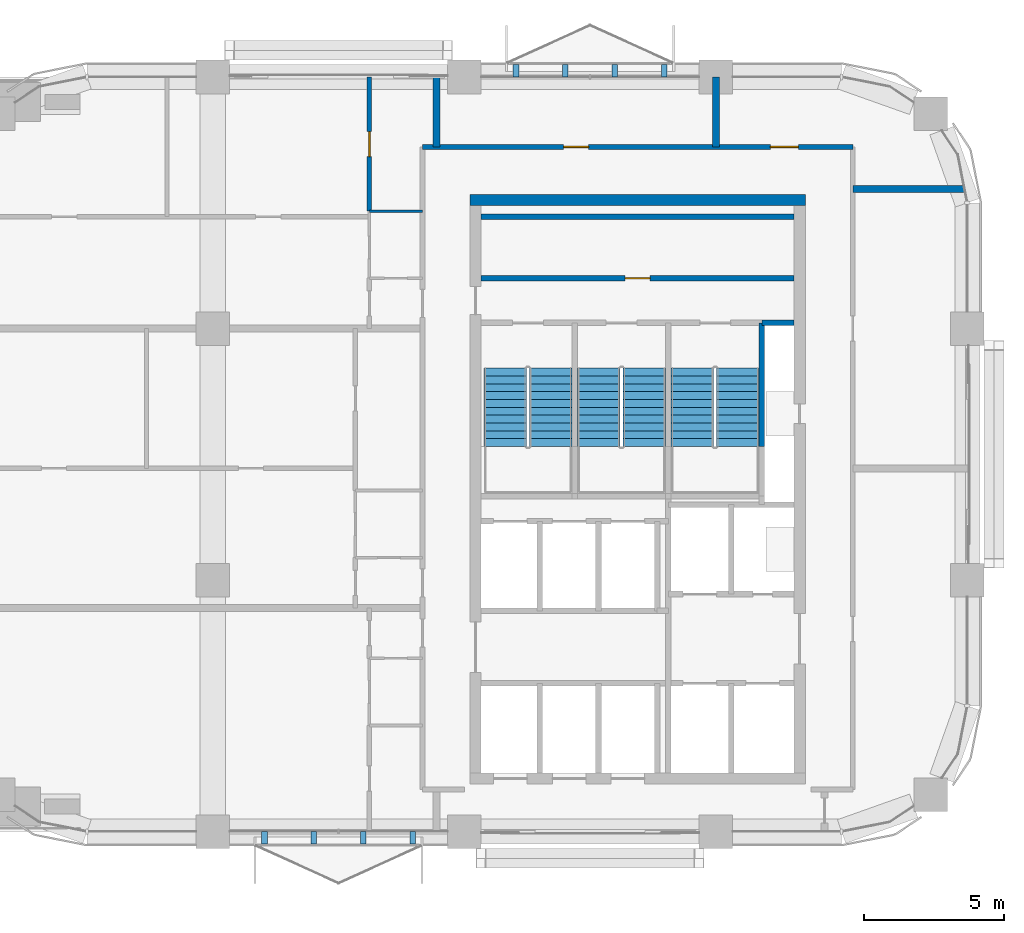
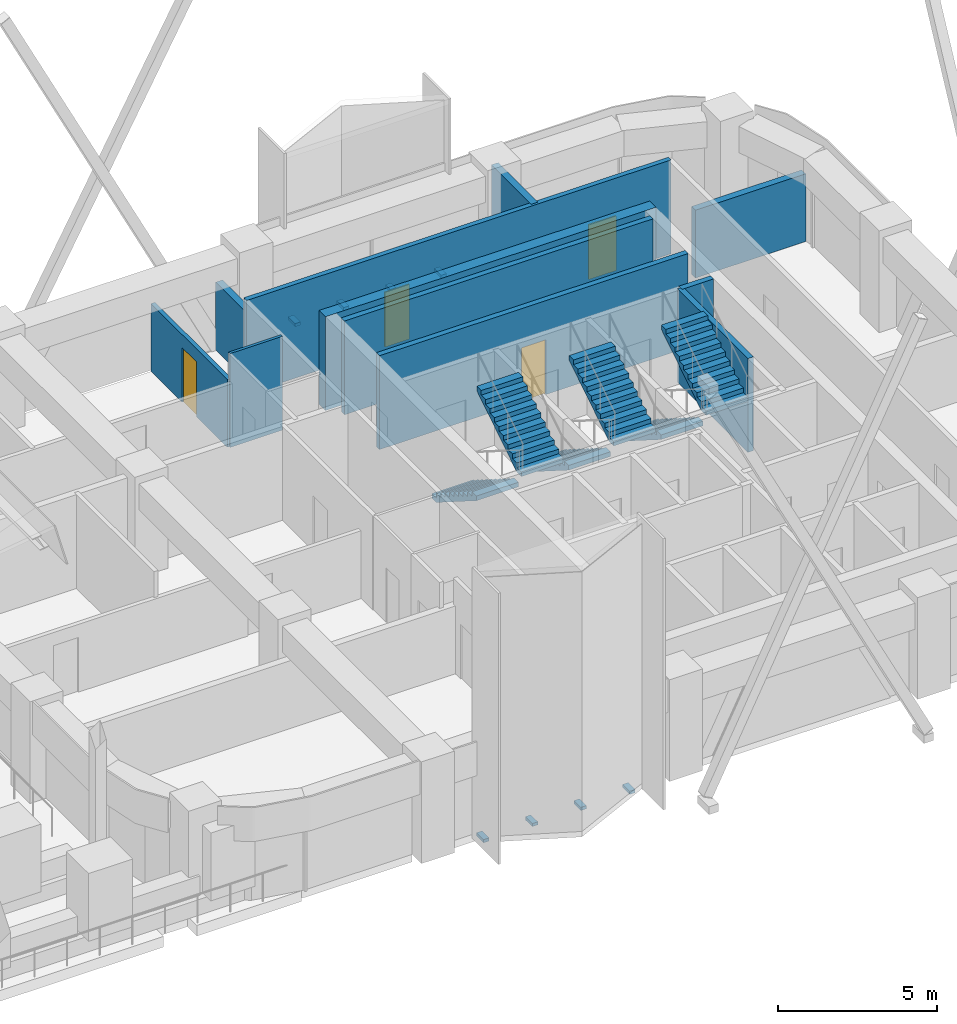
# One storey, part 11 of 13: 11 walls, 8 discrete accessories, 6 stair flights, 4 doors, 4 openings, 3 elements without a shape of their own.
"""IFC4 building model written with IfcOpenShell, lengths in metres."""

from ifc_helpers import new_model, si_unit, direction, frame, frame_2d, origin, origin_2d, place, context, subcontext, project, spatial, polyline, rectangle, outline, extrude, material, layer, layer_set, type_object, element, fill, aggregate, save


model = new_model("IFC4")

# Units and contexts
model_context = context("Model", 3, precision=1e-05, world=origin(), true_north=direction((0.0, 1.0)))
body_context = subcontext(model_context, "Body", "Model", "MODEL_VIEW")
ifc_project = project(units=[si_unit("LENGTHUNIT", "METRE"), si_unit("AREAUNIT", "SQUARE_METRE"), si_unit("VOLUMEUNIT", "CUBIC_METRE"), si_unit("PLANEANGLEUNIT", "RADIAN"), si_unit("MASSUNIT", "GRAM", prefix="KILO")], contexts=[model_context])

# Site, building, storey
site_placement = place(None, origin())
site = spatial("IfcSite", under=ifc_project, at=site_placement, CompositionType="ELEMENT")
building_placement = place(site_placement, origin())
building = spatial("IfcBuilding", under=site, at=building_placement, Name="Tessera Arch", CompositionType="ELEMENT")
storey_placement = place(building_placement, frame((0.0, 0.0, 234.5)))
storey = spatial("IfcBuildingStorey", under=building, at=storey_placement, Name="L56", CompositionType="ELEMENT", Elevation=234.5)

# Wall, opening, door
ifc_material_1 = material(Name="Gypsum board on steel stud", Category="steel")
ifc_layer_1 = layer(ifc_material_1, 0.125)
ifc_layer_set_1 = layer_set([ifc_layer_1], Name="Core partition 125 EI 60")
wall_type_1 = type_object("IfcWallType", Name="Core partition 125 EI 60", PredefinedType="PARTITIONING", material=ifc_layer_set_1)
wall_1_placement = place(storey_placement, frame((36.60009765625, 46.800048828125, 0.0), z_axis=(0.0, 0.0, 1.0), x_axis=(1.0, 0.0, 0.0)))
wall_1 = element("IfcWall", 1, at=wall_1_placement, inside=storey, type_object=wall_type_1, Name="L56 C1 partition wall 30", PredefinedType="PARTITIONING", context=body_context, shape_type="SweptSolid", body=[
    extrude(rectangle(XDim=11.199951171875, YDim=0.199951171875, at=frame_2d((5.60009765625, 0.0))), origin(), (0.0, 0.0, 1.0), 3.60009765625),
])
opening_1_placement = place(wall_1_placement, frame((5.14990234375, 0.0, 0.0)))
opening_1 = element("IfcOpeningElement", 2, at=opening_1_placement, cuts=wall_1, Name="Opening L56-C18", PredefinedType="OPENING", context=body_context, shape_type="SweptSolid", body=[
    extrude(rectangle(XDim=0.89990234375, YDim=2.10009765625, at=frame_2d((0.449951171875, 1.050048828125))), frame((0.0, 0.10986328125, 0.0), z_axis=(0.0, -1.0, 0.0), x_axis=(1.0, 0.0, 0.0)), (0.0, 0.0, 1.0), 0.219970703125),
])
ifc_material_2 = material(Name="Steel door leaf", Category="steel")
door_type_1 = type_object("IfcDoorType", Name="Store door FD30S 900 x 2100", OperationType="SINGLE_SWING_LEFT", PredefinedType="DOOR", material=ifc_material_2)
door_1_placement = place(opening_1_placement, origin())
door_1 = element("IfcDoor", 3, at=door_1_placement, inside=storey, type_object=door_type_1, Name="L56 C1 door 18 C18 type D09", OperationType="SINGLE_SWING_RIGHT", OverallHeight=2.10009765625, OverallWidth=0.89990234375, PredefinedType="DOOR", context=body_context, shape_type="SweptSolid", body=[
    extrude(rectangle(XDim=0.89990234375, YDim=2.10009765625, at=frame_2d((0.449951171875, 1.050048828125))), frame((0.0, 0.02490234375, 0.0), z_axis=(0.0, -1.0, 0.0), x_axis=(1.0, 0.0, 0.0)), (0.0, 0.0, 1.0), 0.050048828125),
])
fill(opening_1, door_1)

# Walls
wall_2_placement = place(storey_placement, frame((36.60009765625, 49.0, 0.0), z_axis=(0.0, 0.0, 1.0), x_axis=(1.0, 0.0, 0.0)))
element("IfcWall", 4, at=wall_2_placement, inside=storey, type_object=wall_type_1, Name="L56 C1 partition wall 31", PredefinedType="PARTITIONING", context=body_context, shape_type="SweptSolid", body=[
    extrude(rectangle(XDim=11.199951171875, YDim=0.199951171875, at=frame_2d((5.60009765625, 0.0))), origin(), (0.0, 0.0, 1.0), 3.60009765625),
])
ifc_material_3 = material(Name="Concrete C50/60", Category="concrete")
ifc_layer_2 = layer(ifc_material_3, 0.39990234375)
ifc_layer_set_2 = layer_set([ifc_layer_2], Name="Core shell wall 400 C50-60")
wall_type_2 = type_object("IfcWallType", Name="Core shell wall 400 C50-60", PredefinedType="SHEAR", material=ifc_layer_set_2)
wall_3_placement = place(storey_placement, frame((36.199951171875, 49.60009765625, 0.0), z_axis=(0.0, 0.0, 1.0), x_axis=(1.0, 0.0, 0.0)))
element("IfcWall", 5, at=wall_3_placement, inside=storey, type_object=wall_type_2, Name="L56 C1 core wall N", PredefinedType="SHEAR", context=body_context, shape_type="SweptSolid", body=[
    extrude(rectangle(XDim=12.0, YDim=0.39990234375, at=frame_2d((6.0, 0.0))), origin(), (0.0, 0.0, 1.0), 3.60009765625),
])

# Wall, openings, doors
ifc_material_4 = material(Name="Gypsum board on deep steel stud with mineral wool", Category="steel")
ifc_layer_3 = layer(ifc_material_4, 0.175048828125)
ifc_layer_set_3 = layer_set([ifc_layer_3], Name="Corridor wall 175 EI 60")
wall_type_3 = type_object("IfcWallType", Name="Corridor wall 175 EI 60", PredefinedType="PARTITIONING", material=ifc_layer_set_3)
wall_4_placement = place(storey_placement, frame((34.5, 51.5, 0.0), z_axis=(0.0, 0.0, 1.0), x_axis=(1.0, 0.0, 0.0)))
wall_4 = element("IfcWall", 6, at=wall_4_placement, inside=storey, type_object=wall_type_3, Name="L56 partition 3", PredefinedType="PARTITIONING", context=body_context, shape_type="SweptSolid", body=[
    extrude(rectangle(XDim=15.39990234375, YDim=0.175048828125, at=frame_2d((7.699951171875, 0.0))), origin(), (0.0, 0.0, 1.0), 3.60009765625),
])
opening_2_placement = place(wall_4_placement, frame((12.449951171875, 0.0, 0.0)))
opening_2 = element("IfcOpeningElement", 7, at=opening_2_placement, cuts=wall_4, Name="Opening L56-D022", PredefinedType="OPENING", context=body_context, shape_type="SweptSolid", body=[
    extrude(rectangle(XDim=1.0, YDim=2.10009765625, at=frame_2d((0.5, 1.050048828125))), frame((0.0, 0.097412109375, 0.0), z_axis=(0.0, -1.0, 0.0), x_axis=(1.0, 0.0, 0.0)), (0.0, 0.0, 1.0), 0.195068359375),
])
opening_3_placement = place(wall_4_placement, frame((5.050048828125, 0.0, 0.0)))
opening_3 = element("IfcOpeningElement", 8, at=opening_3_placement, cuts=wall_4, Name="Opening L56-D023", PredefinedType="OPENING", context=body_context, shape_type="SweptSolid", body=[
    extrude(rectangle(XDim=0.89990234375, YDim=2.10009765625, at=frame_2d((0.449951171875, 1.050048828125))), frame((0.0, 0.097412109375, 0.0), z_axis=(0.0, -1.0, 0.0), x_axis=(1.0, 0.0, 0.0)), (0.0, 0.0, 1.0), 0.195068359375),
])
ifc_material_5 = material(Name="Fire-rated door leaf")
door_type_2 = type_object("IfcDoorType", Name="Entrance door FD30S 1000 x 2100", OperationType="SINGLE_SWING_LEFT", PredefinedType="DOOR", material=ifc_material_5)
door_2_placement = place(opening_2_placement, origin())
door_2 = element("IfcDoor", 9, at=door_2_placement, inside=storey, type_object=door_type_2, Name="L56 door D022 type D03", OperationType="SINGLE_SWING_LEFT", OverallHeight=2.10009765625, OverallWidth=1.0, PredefinedType="DOOR", context=body_context, shape_type="SweptSolid", body=[
    extrude(rectangle(XDim=1.0, YDim=2.10009765625, at=frame_2d((0.5, 1.050048828125))), frame((0.0, 0.02490234375, 0.0), z_axis=(0.0, -1.0, 0.0), x_axis=(1.0, 0.0, 0.0)), (0.0, 0.0, 1.0), 0.050048828125),
])
fill(opening_2, door_2)
ifc_material_6 = material(Name="Timber door leaf", Category="wood")
door_type_3 = type_object("IfcDoorType", Name="Room door 900 x 2100", OperationType="SINGLE_SWING_LEFT", PredefinedType="DOOR", material=ifc_material_6)
door_3_placement = place(opening_3_placement, origin())
door_3 = element("IfcDoor", 10, at=door_3_placement, inside=storey, type_object=door_type_3, Name="L56 door D023 type D01", OperationType="SINGLE_SWING_RIGHT", OverallHeight=2.10009765625, OverallWidth=0.89990234375, PredefinedType="DOOR", context=body_context, shape_type="SweptSolid", body=[
    extrude(rectangle(XDim=0.89990234375, YDim=2.10009765625, at=frame_2d((0.449951171875, 1.050048828125))), frame((0.0, 0.02490234375, 0.0), z_axis=(0.0, -1.0, 0.0), x_axis=(1.0, 0.0, 0.0)), (0.0, 0.0, 1.0), 0.050048828125),
])
fill(opening_3, door_3)

# Wall, opening, door
ifc_material_7 = material(Name="Gypsum board on steel stud", Category="steel")
ifc_layer_4 = layer(ifc_material_7, 0.14990234375)
ifc_layer_set_4 = layer_set([ifc_layer_4], Name="Partition 150")
wall_type_4 = type_object("IfcWallType", Name="Partition 150", PredefinedType="PARTITIONING", material=ifc_layer_set_4)
wall_5_placement = place(storey_placement, frame((32.60009765625, 49.199951171875, 0.0), z_axis=(0.0, 0.0, 1.0), x_axis=(0.0, 1.0, 0.0)))
wall_5 = element("IfcWall", 11, at=wall_5_placement, inside=storey, type_object=wall_type_4, Name="L56 partition 15", PredefinedType="PARTITIONING", context=body_context, shape_type="SweptSolid", body=[
    extrude(rectangle(XDim=4.800048828125, YDim=0.14990234375, at=frame_2d((2.39990234375, 0.0))), origin(), (0.0, 0.0, 1.0), 2.60009765625),
])
opening_4_placement = place(wall_5_placement, frame((1.949951171875, 0.0, 0.0)))
opening_4 = element("IfcOpeningElement", 12, at=opening_4_placement, cuts=wall_5, Name="Opening L56-D019", PredefinedType="OPENING", context=body_context, shape_type="SweptSolid", body=[
    extrude(rectangle(XDim=0.89990234375, YDim=2.10009765625, at=frame_2d((0.449951171875, 1.050048828125))), frame((0.0, 0.0849609375, 0.0), z_axis=(0.0, -1.0, 0.0), x_axis=(1.0, 0.0, 0.0)), (0.0, 0.0, 1.0), 0.169921875),
])
door_4_placement = place(opening_4_placement, origin())
door_4 = element("IfcDoor", 13, at=door_4_placement, inside=storey, type_object=door_type_3, Name="L56 door D019 type D01", OperationType="SINGLE_SWING_LEFT", OverallHeight=2.10009765625, OverallWidth=0.89990234375, PredefinedType="DOOR", context=body_context, shape_type="SweptSolid", body=[
    extrude(rectangle(XDim=0.89990234375, YDim=2.10009765625, at=frame_2d((0.449951171875, 1.050048828125))), frame((0.0, 0.02490234375, 0.0), z_axis=(0.0, -1.0, 0.0), x_axis=(1.0, 0.0, 0.0)), (0.0, 0.0, 1.0), 0.050048828125),
])
fill(opening_4, door_4)

# Walls
ifc_material_8 = material(Name="Double gypsum board on twin steel stud with acoustic mineral wool", Category="steel")
ifc_layer_5 = layer(ifc_material_8, 0.25)
ifc_layer_set_5 = layer_set([ifc_layer_5], Name="Party wall 250 EI 60")
wall_type_5 = type_object("IfcWallType", Name="Party wall 250 EI 60", PredefinedType="PARTITIONING", material=ifc_layer_set_5)
wall_6_placement = place(storey_placement, frame((49.89990234375, 50.0, 0.0), z_axis=(0.0, 0.0, 1.0), x_axis=(1.0, 0.0, 0.0)))
element("IfcWall", 14, at=wall_6_placement, inside=storey, type_object=wall_type_5, Name="L56 partition 19", PredefinedType="PARTITIONING", context=body_context, shape_type="SweptSolid", body=[
    extrude(rectangle(XDim=4.00048828125, YDim=0.25, at=frame_2d((2.000244140625, 0.0))), origin(), (0.0, 0.0, 1.0), 2.60009765625),
])
wall_7_placement = place(storey_placement, frame((35.0, 51.5, 0.0), z_axis=(0.0, 0.0, 1.0), x_axis=(0.0, 1.0, 0.0)))
element("IfcWall", 15, at=wall_7_placement, inside=storey, type_object=wall_type_5, Name="L56 partition 21", PredefinedType="PARTITIONING", context=body_context, shape_type="SweptSolid", body=[
    extrude(rectangle(XDim=2.5, YDim=0.25, at=frame_2d((1.25, 0.0))), origin(), (0.0, 0.0, 1.0), 2.60009765625),
])
wall_8_placement = place(storey_placement, frame((45.0, 51.5, 0.0), z_axis=(0.0, 0.0, 1.0), x_axis=(0.0, 1.0, 0.0)))
element("IfcWall", 16, at=wall_8_placement, inside=storey, type_object=wall_type_5, Name="L56 partition 22", PredefinedType="PARTITIONING", context=body_context, shape_type="SweptSolid", body=[
    extrude(rectangle(XDim=2.5, YDim=0.25, at=frame_2d((1.25, 0.0))), origin(), (0.0, 0.0, 1.0), 3.60009765625),
])
ifc_material_9 = material(Name="Concrete C40/50", Category="concrete")
ifc_layer_6 = layer(ifc_material_9, 0.199951171875)
ifc_layer_set_6 = layer_set([ifc_layer_6], Name="Shaft wall 200 EI 120")
wall_type_6 = type_object("IfcWallType", Name="Shaft wall 200 EI 120", PredefinedType="SOLIDWALL", material=ifc_layer_set_6)
wall_9_placement = place(storey_placement, frame((46.64990234375, 45.199951171875, 0.0), z_axis=(0.0, 0.0, 1.0), x_axis=(1.0, 0.0, 0.0)))
element("IfcWall", 17, at=wall_9_placement, inside=storey, type_object=wall_type_6, Name="L56 C1 shaft wall 28", PredefinedType="SOLIDWALL", context=body_context, shape_type="SweptSolid", body=[
    extrude(rectangle(XDim=1.150146484375, YDim=0.199951171875, at=frame_2d((0.5751953125, 0.0))), origin(), (0.0, 0.0, 1.0), 3.60009765625),
])
ifc_material_10 = material(Name="Concrete C40/50", Category="concrete")
ifc_layer_7 = layer(ifc_material_10, 0.199951171875)
ifc_layer_set_7 = layer_set([ifc_layer_7], Name="Stair well wall 200 REI 180")
wall_type_7 = type_object("IfcWallType", Name="Stair well wall 200 REI 180", PredefinedType="SOLIDWALL", material=ifc_layer_set_7)
wall_10_placement = place(storey_placement, frame((46.64990234375, 40.780029296875, 0.0), z_axis=(0.0, 0.0, 1.0), x_axis=(0.0, 1.0, 0.0)))
element("IfcWall", 18, at=wall_10_placement, inside=storey, type_object=wall_type_7, Name="L56 C1 shaft wall 16", PredefinedType="SOLIDWALL", context=body_context, shape_type="SweptSolid", body=[
    extrude(rectangle(XDim=4.419921875, YDim=0.199951171875, at=frame_2d((2.2099609375, 0.0))), origin(), (0.0, 0.0, 1.0), 3.60009765625),
])
ifc_material_11 = material(Name="Moisture-resistant board on pre-plumbed steel stud", Category="steel")
ifc_layer_8 = layer(ifc_material_11, 0.10009765625)
ifc_layer_set_8 = layer_set([ifc_layer_8], Name="Wet wall 100")
wall_type_8 = type_object("IfcWallType", Name="Wet wall 100", PredefinedType="PARTITIONING", material=ifc_layer_set_8)
wall_11_placement = place(storey_placement, frame((32.60009765625, 49.199951171875, 0.0), z_axis=(0.0, 0.0, 1.0), x_axis=(1.0, 0.0, 0.0)))
element("IfcWall", 19, at=wall_11_placement, inside=storey, type_object=wall_type_8, Name="L56 partition 29", PredefinedType="PARTITIONING", context=body_context, shape_type="SweptSolid", body=[
    extrude(rectangle(XDim=1.89990234375, YDim=0.10009765625, at=frame_2d((0.949951171875, 0.0))), origin(), (0.0, 0.0, 1.0), 3.60009765625),
])

# Stair, stair flights
ifc_material_12 = material(Name="Concrete C40/50", Category="concrete")
stair_type = type_object("IfcStairType", Name="Dogleg stair 1520", PredefinedType="HALF_TURN_STAIR", material=ifc_material_12)
stair_1_placement = place(storey_placement, origin())
stair_1 = element("IfcStair", 20, at=stair_1_placement, inside=storey, type_object=stair_type, Name="L56 S1a", PredefinedType="HALF_TURN_STAIR")
ifc_material_13 = material(Name="Concrete C40/50", Category="concrete")
stair_flight_type = type_object("IfcStairFlightType", Name="Stair flight 1520", PredefinedType="STRAIGHT", material=ifc_material_13)
stair_flight_1_placement = place(storey_placement, frame((37.4599609375, 43.580078125, 0.0), z_axis=(0.0, 0.0, 1.0), x_axis=(0.0, -1.0, 0.0)))
stair_flight_1 = element("IfcStairFlight", 21, at=stair_flight_1_placement, type_object=stair_flight_type, Name="S1a flight 1", NumberOfRisers=11, NumberOfTreads=10, PredefinedType="STRAIGHT", RiserHeight=0.177272727, TreadLength=0.28, context=body_context, shape_type="SweptSolid", body=[
    extrude(outline(polyline([(0.0, 0.0), (0.0, 0.17724609375), (0.280029296875, 0.17724609375), (0.280029296875, 0.3544921875), (0.56005859375, 0.3544921875), (0.56005859375, 0.53173828125), (0.840087890625, 0.53173828125), (0.840087890625, 0.708984375), (1.1201171875, 0.708984375), (1.1201171875, 0.886474609375), (1.39990234375, 0.886474609375), (1.39990234375, 1.063720703125), (1.679931640625, 1.063720703125), (1.679931640625, 1.240966796875), (1.9599609375, 1.240966796875), (1.9599609375, 1.418212890625), (2.239990234375, 1.418212890625), (2.239990234375, 1.595458984375), (2.52001953125, 1.595458984375), (2.52001953125, 1.772705078125), (2.800048828125, 1.772705078125), (2.800048828125, 1.949951171875), (2.800048828125, 1.59521484375), (0.2802734375, 0.0), (0.0, 0.0)])), frame((0.0, 0.760009765625, 0.0), z_axis=(0.0, -1.0, 0.0), x_axis=(1.0, 0.0, 0.0)), (0.0, 0.0, 1.0), 1.52001953125),
])
stair_flight_2_placement = place(storey_placement, frame((39.090087890625, 40.780029296875, 1.949951171875), z_axis=(0.0, 0.0, 1.0), x_axis=(0.0, 1.0, 0.0)))
stair_flight_2 = element("IfcStairFlight", 22, at=stair_flight_2_placement, type_object=stair_flight_type, Name="S1a flight 2", NumberOfRisers=11, NumberOfTreads=10, PredefinedType="STRAIGHT", RiserHeight=0.177272727, TreadLength=0.28, context=body_context, shape_type="SweptSolid", body=[
    extrude(outline(polyline([(0.0, 0.0), (0.0, 0.17724609375), (0.280029296875, 0.17724609375), (0.280029296875, 0.3544921875), (0.56005859375, 0.3544921875), (0.56005859375, 0.53173828125), (0.840087890625, 0.53173828125), (0.840087890625, 0.708984375), (1.1201171875, 0.708984375), (1.1201171875, 0.886474609375), (1.39990234375, 0.886474609375), (1.39990234375, 1.063720703125), (1.679931640625, 1.063720703125), (1.679931640625, 1.240966796875), (1.9599609375, 1.240966796875), (1.9599609375, 1.418212890625), (2.239990234375, 1.418212890625), (2.239990234375, 1.595458984375), (2.52001953125, 1.595458984375), (2.52001953125, 1.772705078125), (2.800048828125, 1.772705078125), (2.800048828125, 1.949951171875), (2.800048828125, 1.59521484375), (0.2802734375, 0.0), (0.0, 0.0)])), frame((0.0, 0.760009765625, 0.0), z_axis=(0.0, -1.0, 0.0), x_axis=(1.0, 0.0, 0.0)), (0.0, 0.0, 1.0), 1.52001953125),
])
aggregate(stair_1, [stair_flight_1, stair_flight_2])

stair_2_placement = place(storey_placement, origin())
stair_2 = element("IfcStair", 23, at=stair_2_placement, inside=storey, type_object=stair_type, Name="L56 S1b", PredefinedType="HALF_TURN_STAIR")
stair_flight_3_placement = place(storey_placement, frame((40.81005859375, 43.580078125, 0.0), z_axis=(0.0, 0.0, 1.0), x_axis=(0.0, -1.0, 0.0)))
stair_flight_3 = element("IfcStairFlight", 24, at=stair_flight_3_placement, type_object=stair_flight_type, Name="S1b flight 1", NumberOfRisers=11, NumberOfTreads=10, PredefinedType="STRAIGHT", RiserHeight=0.177272727, TreadLength=0.28, context=body_context, shape_type="SweptSolid", body=[
    extrude(outline(polyline([(0.0, 0.0), (0.0, 0.17724609375), (0.280029296875, 0.17724609375), (0.280029296875, 0.3544921875), (0.56005859375, 0.3544921875), (0.56005859375, 0.53173828125), (0.840087890625, 0.53173828125), (0.840087890625, 0.708984375), (1.1201171875, 0.708984375), (1.1201171875, 0.886474609375), (1.39990234375, 0.886474609375), (1.39990234375, 1.063720703125), (1.679931640625, 1.063720703125), (1.679931640625, 1.240966796875), (1.9599609375, 1.240966796875), (1.9599609375, 1.418212890625), (2.239990234375, 1.418212890625), (2.239990234375, 1.595458984375), (2.52001953125, 1.595458984375), (2.52001953125, 1.772705078125), (2.800048828125, 1.772705078125), (2.800048828125, 1.949951171875), (2.800048828125, 1.59521484375), (0.2802734375, 0.0), (0.0, 0.0)])), frame((0.0, 0.760009765625, 0.0), z_axis=(0.0, -1.0, 0.0), x_axis=(1.0, 0.0, 0.0)), (0.0, 0.0, 1.0), 1.52001953125),
])
stair_flight_4_placement = place(storey_placement, frame((42.43994140625, 40.780029296875, 1.949951171875), z_axis=(0.0, 0.0, 1.0), x_axis=(0.0, 1.0, 0.0)))
stair_flight_4 = element("IfcStairFlight", 25, at=stair_flight_4_placement, type_object=stair_flight_type, Name="S1b flight 2", NumberOfRisers=11, NumberOfTreads=10, PredefinedType="STRAIGHT", RiserHeight=0.177272727, TreadLength=0.28, context=body_context, shape_type="SweptSolid", body=[
    extrude(outline(polyline([(0.0, 0.0), (0.0, 0.17724609375), (0.280029296875, 0.17724609375), (0.280029296875, 0.3544921875), (0.56005859375, 0.3544921875), (0.56005859375, 0.53173828125), (0.840087890625, 0.53173828125), (0.840087890625, 0.708984375), (1.1201171875, 0.708984375), (1.1201171875, 0.886474609375), (1.39990234375, 0.886474609375), (1.39990234375, 1.063720703125), (1.679931640625, 1.063720703125), (1.679931640625, 1.240966796875), (1.9599609375, 1.240966796875), (1.9599609375, 1.418212890625), (2.239990234375, 1.418212890625), (2.239990234375, 1.595458984375), (2.52001953125, 1.595458984375), (2.52001953125, 1.772705078125), (2.800048828125, 1.772705078125), (2.800048828125, 1.949951171875), (2.800048828125, 1.59521484375), (0.2802734375, 0.0), (0.0, 0.0)])), frame((0.0, 0.760009765625, 0.0), z_axis=(0.0, -1.0, 0.0), x_axis=(1.0, 0.0, 0.0)), (0.0, 0.0, 1.0), 1.52001953125),
])
aggregate(stair_2, [stair_flight_3, stair_flight_4])

stair_3_placement = place(storey_placement, origin())
stair_3 = element("IfcStair", 26, at=stair_3_placement, inside=storey, type_object=stair_type, Name="L56 S1c", PredefinedType="HALF_TURN_STAIR")
stair_flight_5_placement = place(storey_placement, frame((44.159912109375, 43.580078125, 0.0), z_axis=(0.0, 0.0, 1.0), x_axis=(0.0, -1.0, 0.0)))
stair_flight_5 = element("IfcStairFlight", 27, at=stair_flight_5_placement, type_object=stair_flight_type, Name="S1c flight 1", NumberOfRisers=11, NumberOfTreads=10, PredefinedType="STRAIGHT", RiserHeight=0.177272727, TreadLength=0.28, context=body_context, shape_type="SweptSolid", body=[
    extrude(outline(polyline([(0.0, 0.0), (0.0, 0.17724609375), (0.280029296875, 0.17724609375), (0.280029296875, 0.3544921875), (0.56005859375, 0.3544921875), (0.56005859375, 0.53173828125), (0.840087890625, 0.53173828125), (0.840087890625, 0.708984375), (1.1201171875, 0.708984375), (1.1201171875, 0.886474609375), (1.39990234375, 0.886474609375), (1.39990234375, 1.063720703125), (1.679931640625, 1.063720703125), (1.679931640625, 1.240966796875), (1.9599609375, 1.240966796875), (1.9599609375, 1.418212890625), (2.239990234375, 1.418212890625), (2.239990234375, 1.595458984375), (2.52001953125, 1.595458984375), (2.52001953125, 1.772705078125), (2.800048828125, 1.772705078125), (2.800048828125, 1.949951171875), (2.800048828125, 1.59521484375), (0.2802734375, 0.0), (0.0, 0.0)])), frame((0.0, 0.760009765625, 0.0), z_axis=(0.0, -1.0, 0.0), x_axis=(1.0, 0.0, 0.0)), (0.0, 0.0, 1.0), 1.52001953125),
])
stair_flight_6_placement = place(storey_placement, frame((45.7900390625, 40.780029296875, 1.949951171875), z_axis=(0.0, 0.0, 1.0), x_axis=(0.0, 1.0, 0.0)))
stair_flight_6 = element("IfcStairFlight", 28, at=stair_flight_6_placement, type_object=stair_flight_type, Name="S1c flight 2", NumberOfRisers=11, NumberOfTreads=10, PredefinedType="STRAIGHT", RiserHeight=0.177272727, TreadLength=0.28, context=body_context, shape_type="SweptSolid", body=[
    extrude(outline(polyline([(0.0, 0.0), (0.0, 0.17724609375), (0.280029296875, 0.17724609375), (0.280029296875, 0.3544921875), (0.56005859375, 0.3544921875), (0.56005859375, 0.53173828125), (0.840087890625, 0.53173828125), (0.840087890625, 0.708984375), (1.1201171875, 0.708984375), (1.1201171875, 0.886474609375), (1.39990234375, 0.886474609375), (1.39990234375, 1.063720703125), (1.679931640625, 1.063720703125), (1.679931640625, 1.240966796875), (1.9599609375, 1.240966796875), (1.9599609375, 1.418212890625), (2.239990234375, 1.418212890625), (2.239990234375, 1.595458984375), (2.52001953125, 1.595458984375), (2.52001953125, 1.772705078125), (2.800048828125, 1.772705078125), (2.800048828125, 1.949951171875), (2.800048828125, 1.59521484375), (0.2802734375, 0.0), (0.0, 0.0)])), frame((0.0, 0.760009765625, 0.0), z_axis=(0.0, -1.0, 0.0), x_axis=(1.0, 0.0, 0.0)), (0.0, 0.0, 1.0), 1.52001953125),
])
aggregate(stair_3, [stair_flight_5, stair_flight_6])

# Discrete accessories
for number, where, z_axis, x_axis, name in (
    (29, (43.14990234375, 54.219970703125, -0.1201171875), (0.0, 0.0, 1.0), (0.0, 1.0, 0.0), "Window box bracket"),
    (30, (41.38330078125, 54.219970703125, -0.1201171875), (0.0, 0.0, 1.0), (0.0, 1.0, 0.0), "Window box bracket"),
    (31, (39.61669921875, 54.219970703125, -0.1201171875), (0.0, 0.0, 1.0), (0.0, 1.0, 0.0), "Window box bracket"),
    (32, (37.85009765625, 54.219970703125, -0.1201171875), (0.0, 0.0, 1.0), (0.0, 1.0, 0.0), "Window box bracket"),
    (33, (28.85009765625, 26.780029296875, -0.1201171875), (0.0, 0.0, 1.0), (0.0, -1.0, 0.0), "Window box bracket"),
    (34, (30.61669921875, 26.780029296875, -0.1201171875), (0.0, 0.0, 1.0), (0.0, -1.0, 0.0), "Window box bracket"),
    (35, (32.38330078125, 26.780029296875, -0.1201171875), (0.0, 0.0, 1.0), (0.0, -1.0, 0.0), "Window box bracket"),
    (36, (34.14990234375, 26.780029296875, -0.1201171875), (0.0, 0.0, 1.0), (0.0, -1.0, 0.0), "Window box bracket"),
):
    element("IfcDiscreteAccessory", number, at=place(storey_placement, frame(where, z_axis=z_axis, x_axis=x_axis)), inside=storey, Name=name, PredefinedType="BRACKET", context=body_context, shape_type="SweptSolid", body=[
        extrude(rectangle(XDim=0.43994140625, YDim=0.199951171875, at=origin_2d()), origin(), (0.0, 0.0, 1.0), 0.1201171875),
    ])

save(model, "model.ifc")
